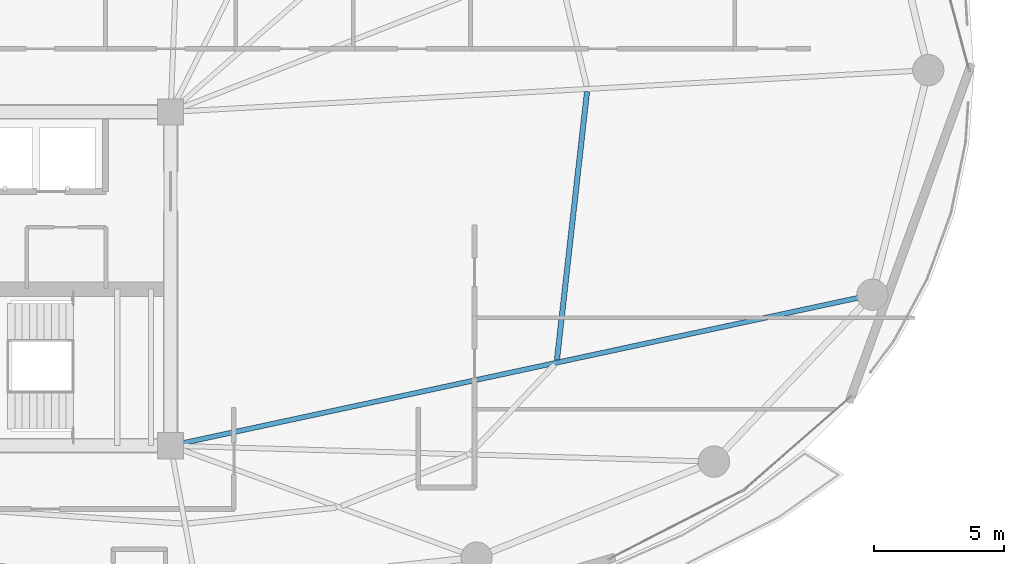
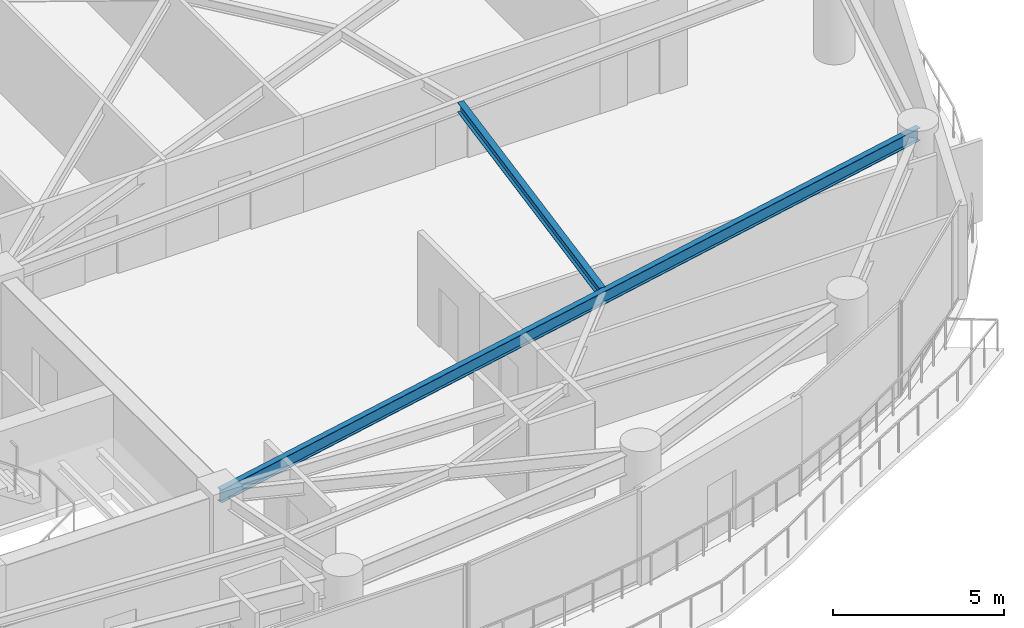
# One storey, part 12 of 28: 2 beams.
"""IFC4 building model written with IfcOpenShell, lengths in metres."""

from ifc_helpers import new_model, si_unit, direction, frame, origin, origin_2d, place, context, subcontext, project, spatial, i_section, extrude, material, material_profile, profile_set, type_object, element, save


model = new_model("IFC4")

# Units and contexts
model_context = context("Model", 3, precision=1e-05, world=origin(), true_north=direction((0.0, 1.0)))
body_context = subcontext(model_context, "Body", "Model", "MODEL_VIEW")
ifc_project = project(units=[si_unit("LENGTHUNIT", "METRE"), si_unit("AREAUNIT", "SQUARE_METRE"), si_unit("VOLUMEUNIT", "CUBIC_METRE"), si_unit("PLANEANGLEUNIT", "RADIAN"), si_unit("MASSUNIT", "GRAM", prefix="KILO")], contexts=[model_context])

# Site, building, storey
site_placement = place(None, origin())
site = spatial("IfcSite", under=ifc_project, at=site_placement, CompositionType="ELEMENT")
building_placement = place(site_placement, origin())
building = spatial("IfcBuilding", under=site, at=building_placement, Name="Kazevale Care Tower and Concert Hall", CompositionType="ELEMENT")
storey_placement = place(building_placement, frame((0.0, 0.0, 106.199951171875)))
storey = spatial("IfcBuildingStorey", under=building, at=storey_placement, Name="L27", CompositionType="ELEMENT", Elevation=106.199951171875)

# Beams
ifc_material = material(Name="Steel ASTM A572 Gr 50", Category="steel")
ifc_material_profile_1 = material_profile(ifc_material, i_section(OverallWidth=0.19091796875, OverallDepth=0.4599609375, WebThickness=0.010009765625, FlangeThickness=0.01611328125, at=origin_2d()), Name="W460x82")
ifc_profile_set_1 = profile_set([ifc_material_profile_1], Name="Steel ASTM A572 Gr 50")
beam_type_1 = type_object("IfcBeamType", Name="Radial Floor Beam W460x82", PredefinedType="BEAM", material=ifc_profile_set_1)
beam_1_placement = place(storey_placement, frame((44.0, 23.60009765625, 3.130126953125), z_axis=(0.97762801725, 0.210341293823, 0.0), x_axis=(-0.210341293823, 0.97762801725, 0.0)))
element("IfcBeam", 1, at=beam_1_placement, inside=storey, type_object=beam_type_1, Name="beam:L27:rad:16", PredefinedType="BEAM", context=body_context, shape_type="SweptSolid", body=[
    extrude(i_section(OverallWidth=0.19091796875, OverallDepth=0.4599609375, WebThickness=0.010009765625, FlangeThickness=0.01611328125, at=origin_2d()), origin(), (0.0, 0.0, 1.0), 27.525634765625),
])
ifc_material_profile_2 = material_profile(ifc_material, i_section(OverallWidth=0.205078125, OverallDepth=0.35400390625, WebThickness=0.009521484375, FlangeThickness=0.016845703125, at=origin_2d()), Name="W360x79")
ifc_profile_set_2 = profile_set([ifc_material_profile_2], Name="Steel ASTM A572 Gr 50")
beam_type_2 = type_object("IfcBeamType", Name="Secondary Floor Joist W360x79", PredefinedType="JOIST", material=ifc_profile_set_2)
beam_2_placement = place(storey_placement, frame((58.81201171875, 26.888916015625, 3.18310546875), z_axis=(0.111485011105, 0.993766115491, 0.0), x_axis=(-0.993766115491, 0.111485011105, 0.0)))
element("IfcBeam", 2, at=beam_2_placement, inside=storey, type_object=beam_type_2, Name="beam:L27:joist:16", PredefinedType="JOIST", context=body_context, shape_type="SweptSolid", body=[
    extrude(i_section(OverallWidth=0.205078125, OverallDepth=0.35400390625, WebThickness=0.009521484375, FlangeThickness=0.016845703125, at=origin_2d()), origin(), (0.0, 0.0, 1.0), 10.3515625),
])

save(model, "model.ifc")
